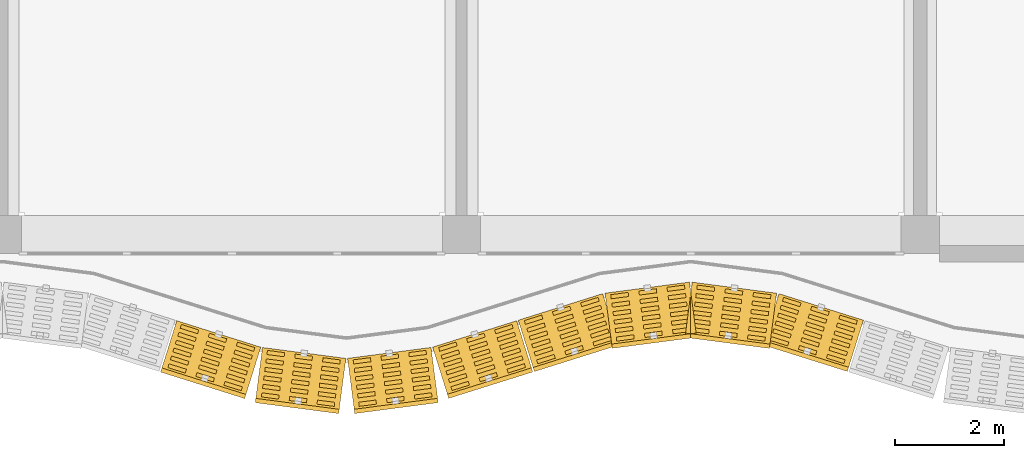
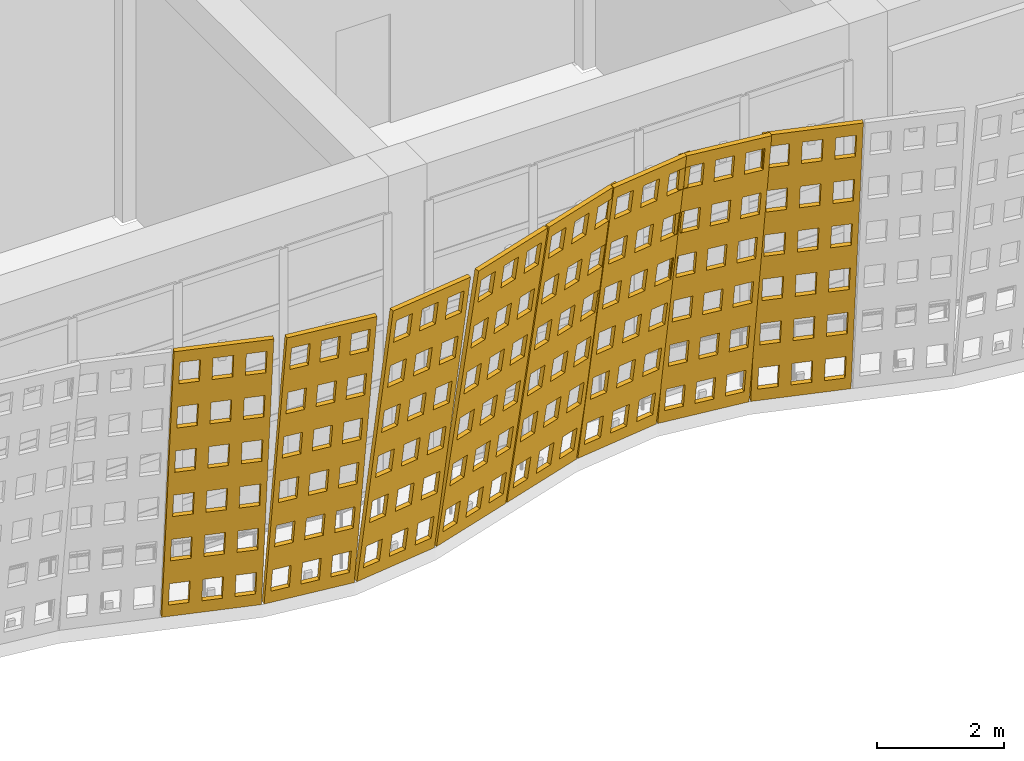
# One storey, part 153 of 210: 8 coverings.
"""IFC4 building model written with IfcOpenShell, lengths in metres."""

from ifc_helpers import new_model, si_unit, direction, frame, origin, place, context, subcontext, project, spatial, polyline, outline, extrude, material, layer, layer_set, type_object, element, save


model = new_model("IFC4")

# Units and contexts
model_context = context("Model", 3, precision=1e-05, world=origin(), true_north=direction((0.0, 1.0)))
body_context = subcontext(model_context, "Body", "Model", "MODEL_VIEW")
ifc_project = project(units=[si_unit("LENGTHUNIT", "METRE"), si_unit("AREAUNIT", "SQUARE_METRE"), si_unit("VOLUMEUNIT", "CUBIC_METRE"), si_unit("PLANEANGLEUNIT", "RADIAN"), si_unit("MASSUNIT", "GRAM", prefix="KILO")], contexts=[model_context])

# Site, building, storey
site_placement = place(None, origin())
site = spatial("IfcSite", under=ifc_project, at=site_placement, CompositionType="ELEMENT")
building_placement = place(site_placement, origin())
building = spatial("IfcBuilding", under=site, at=building_placement, Name="Rain Tree Exposition and Congress Centre", CompositionType="ELEMENT")
storey_placement = place(building_placement, origin())
storey = spatial("IfcBuildingStorey", under=building, at=storey_placement, Name="L00", CompositionType="ELEMENT", Elevation=0.0)

# Coverings
ifc_material = material(Name="Perforated terracotta", Category="masonry")
ifc_layer = layer(ifc_material, 0.080078125)
ifc_layer_set = layer_set([ifc_layer], Name="Perforated terracotta")
covering_type = type_object("IfcCoveringType", Name="Terracotta screen 80", PredefinedType="CLADDING", material=ifc_layer_set)
covering_1_placement = place(storey_placement, frame((28.35009765625, -1.64990234375, 0.0), z_axis=(0.296712403937, 0.94213835477, 0.156003428874), x_axis=(-0.953816392794, 0.300390227601, 0.0)))
element("IfcCovering", 1, at=covering_1_placement, inside=storey, type_object=covering_type, Name="wing/screen/L00/019", PredefinedType="CLADDING", context=body_context, shape_type="SweptSolid", body=[
    extrude(outline(polyline([(-1.62890625, 0.0), (-1.62890625, 5.808349609375), (-0.014892578125, 5.808349609375), (-0.014892578125, 0.0), (-1.62890625, 0.0)]), holes=[polyline([(-0.1171875, 0.249755859375), (-0.1171875, 0.71826171875), (-0.45068359375, 0.71826171875), (-0.45068359375, 0.249755859375), (-0.1171875, 0.249755859375)]), polyline([(-0.1171875, 1.218017578125), (-0.1171875, 1.686279296875), (-0.45068359375, 1.686279296875), (-0.45068359375, 1.218017578125), (-0.1171875, 1.218017578125)]), polyline([(-0.1171875, 2.18603515625), (-0.1171875, 2.654296875), (-0.45068359375, 2.654296875), (-0.45068359375, 2.18603515625), (-0.1171875, 2.18603515625)]), polyline([(-0.1171875, 3.154052734375), (-0.1171875, 3.62255859375), (-0.45068359375, 3.62255859375), (-0.45068359375, 3.154052734375), (-0.1171875, 3.154052734375)]), polyline([(-0.1171875, 4.1220703125), (-0.1171875, 4.590576171875), (-0.45068359375, 4.590576171875), (-0.45068359375, 4.1220703125), (-0.1171875, 4.1220703125)]), polyline([(-0.1171875, 5.090087890625), (-0.1171875, 5.55859375), (-0.45068359375, 5.55859375), (-0.45068359375, 5.090087890625), (-0.1171875, 5.090087890625)]), polyline([(-0.6552734375, 0.249755859375), (-0.6552734375, 0.71826171875), (-0.98876953125, 0.71826171875), (-0.98876953125, 0.249755859375), (-0.6552734375, 0.249755859375)]), polyline([(-0.6552734375, 1.218017578125), (-0.6552734375, 1.686279296875), (-0.98876953125, 1.686279296875), (-0.98876953125, 1.218017578125), (-0.6552734375, 1.218017578125)]), polyline([(-0.6552734375, 2.18603515625), (-0.6552734375, 2.654296875), (-0.98876953125, 2.654296875), (-0.98876953125, 2.18603515625), (-0.6552734375, 2.18603515625)]), polyline([(-0.6552734375, 3.154052734375), (-0.6552734375, 3.62255859375), (-0.98876953125, 3.62255859375), (-0.98876953125, 3.154052734375), (-0.6552734375, 3.154052734375)]), polyline([(-0.6552734375, 4.1220703125), (-0.6552734375, 4.590576171875), (-0.98876953125, 4.590576171875), (-0.98876953125, 4.1220703125), (-0.6552734375, 4.1220703125)]), polyline([(-0.6552734375, 5.090087890625), (-0.6552734375, 5.55859375), (-0.98876953125, 5.55859375), (-0.98876953125, 5.090087890625), (-0.6552734375, 5.090087890625)]), polyline([(-1.193115234375, 0.249755859375), (-1.193115234375, 0.71826171875), (-1.526611328125, 0.71826171875), (-1.526611328125, 0.249755859375), (-1.193115234375, 0.249755859375)]), polyline([(-1.193115234375, 1.218017578125), (-1.193115234375, 1.686279296875), (-1.526611328125, 1.686279296875), (-1.526611328125, 1.218017578125), (-1.193115234375, 1.218017578125)]), polyline([(-1.193115234375, 2.18603515625), (-1.193115234375, 2.654296875), (-1.526611328125, 2.654296875), (-1.526611328125, 2.18603515625), (-1.193115234375, 2.18603515625)]), polyline([(-1.193115234375, 3.154052734375), (-1.193115234375, 3.62255859375), (-1.526611328125, 3.62255859375), (-1.526611328125, 3.154052734375), (-1.193115234375, 3.154052734375)]), polyline([(-1.193115234375, 4.1220703125), (-1.193115234375, 4.590576171875), (-1.526611328125, 4.590576171875), (-1.526611328125, 4.1220703125), (-1.193115234375, 4.1220703125)]), polyline([(-1.193115234375, 5.090087890625), (-1.193115234375, 5.55859375), (-1.526611328125, 5.55859375), (-1.526611328125, 5.090087890625), (-1.193115234375, 5.090087890625)])]), origin(), (0.0, 0.0, 1.0), 0.079833984375),
])
covering_2_placement = place(storey_placement, frame((29.925048828125, -2.14501953125, 0.0), z_axis=(0.1280309309, 0.978522114732, 0.161562841373), x_axis=(-0.991548658387, 0.129735338481, 0.0)))
element("IfcCovering", 2, at=covering_2_placement, inside=storey, type_object=covering_type, Name="wing/screen/L00/020", PredefinedType="CLADDING", context=body_context, shape_type="SweptSolid", body=[
    extrude(outline(polyline([(-1.56298828125, 0.0), (-1.56298828125, 5.813720703125), (-0.02197265625, 5.813720703125), (-0.02197265625, 0.0), (-1.56298828125, 0.0)]), holes=[polyline([(-0.11962890625, 0.25), (-0.11962890625, 0.718994140625), (-0.43798828125, 0.718994140625), (-0.43798828125, 0.25), (-0.11962890625, 0.25)]), polyline([(-0.11962890625, 1.218994140625), (-0.11962890625, 1.687744140625), (-0.43798828125, 1.687744140625), (-0.43798828125, 1.218994140625), (-0.11962890625, 1.218994140625)]), polyline([(-0.11962890625, 2.18798828125), (-0.11962890625, 2.65673828125), (-0.43798828125, 2.65673828125), (-0.43798828125, 2.18798828125), (-0.11962890625, 2.18798828125)]), polyline([(-0.11962890625, 3.15673828125), (-0.11962890625, 3.625732421875), (-0.43798828125, 3.625732421875), (-0.43798828125, 3.15673828125), (-0.11962890625, 3.15673828125)]), polyline([(-0.11962890625, 4.125732421875), (-0.11962890625, 4.594482421875), (-0.43798828125, 4.594482421875), (-0.43798828125, 4.125732421875), (-0.11962890625, 4.125732421875)]), polyline([(-0.11962890625, 5.0947265625), (-0.11962890625, 5.5634765625), (-0.43798828125, 5.5634765625), (-0.43798828125, 5.0947265625), (-0.11962890625, 5.0947265625)]), polyline([(-0.63330078125, 0.25), (-0.63330078125, 0.718994140625), (-0.95166015625, 0.718994140625), (-0.95166015625, 0.25), (-0.63330078125, 0.25)]), polyline([(-0.63330078125, 1.218994140625), (-0.63330078125, 1.687744140625), (-0.95166015625, 1.687744140625), (-0.95166015625, 1.218994140625), (-0.63330078125, 1.218994140625)]), polyline([(-0.63330078125, 2.18798828125), (-0.63330078125, 2.65673828125), (-0.95166015625, 2.65673828125), (-0.95166015625, 2.18798828125), (-0.63330078125, 2.18798828125)]), polyline([(-0.63330078125, 3.15673828125), (-0.63330078125, 3.625732421875), (-0.95166015625, 3.625732421875), (-0.95166015625, 3.15673828125), (-0.63330078125, 3.15673828125)]), polyline([(-0.63330078125, 4.125732421875), (-0.63330078125, 4.594482421875), (-0.95166015625, 4.594482421875), (-0.95166015625, 4.125732421875), (-0.63330078125, 4.125732421875)]), polyline([(-0.63330078125, 5.0947265625), (-0.63330078125, 5.5634765625), (-0.95166015625, 5.5634765625), (-0.95166015625, 5.0947265625), (-0.63330078125, 5.0947265625)]), polyline([(-1.146728515625, 0.25), (-1.146728515625, 0.718994140625), (-1.46533203125, 0.718994140625), (-1.46533203125, 0.25), (-1.146728515625, 0.25)]), polyline([(-1.146728515625, 1.218994140625), (-1.146728515625, 1.687744140625), (-1.46533203125, 1.687744140625), (-1.46533203125, 1.218994140625), (-1.146728515625, 1.218994140625)]), polyline([(-1.146728515625, 2.18798828125), (-1.146728515625, 2.65673828125), (-1.46533203125, 2.65673828125), (-1.46533203125, 2.18798828125), (-1.146728515625, 2.18798828125)]), polyline([(-1.146728515625, 3.15673828125), (-1.146728515625, 3.625732421875), (-1.46533203125, 3.625732421875), (-1.46533203125, 3.15673828125), (-1.146728515625, 3.15673828125)]), polyline([(-1.146728515625, 4.125732421875), (-1.146728515625, 4.594482421875), (-1.46533203125, 4.594482421875), (-1.46533203125, 4.125732421875), (-1.146728515625, 4.125732421875)]), polyline([(-1.146728515625, 5.0947265625), (-1.146728515625, 5.5634765625), (-1.46533203125, 5.5634765625), (-1.46533203125, 5.0947265625), (-1.146728515625, 5.0947265625)])]), origin(), (0.0, 0.0, 1.0), 0.080078125),
])
covering_3_placement = place(storey_placement, frame((31.5, -2.35009765625, 0.0), z_axis=(-0.1280309309, 0.978522114732, 0.161562841373), x_axis=(-0.991548658387, -0.129735338481, 0.0)))
element("IfcCovering", 3, at=covering_3_placement, inside=storey, type_object=covering_type, Name="wing/screen/L00/021", PredefinedType="CLADDING", context=body_context, shape_type="SweptSolid", body=[
    extrude(outline(polyline([(-1.56640625, 0.0), (-1.56640625, 5.813720703125), (-0.025390625, 5.813720703125), (-0.025390625, 0.0), (-1.56640625, 0.0)]), holes=[polyline([(-0.123046875, 0.25), (-0.123046875, 0.718994140625), (-0.44140625, 0.718994140625), (-0.44140625, 0.25), (-0.123046875, 0.25)]), polyline([(-0.123046875, 1.218994140625), (-0.123046875, 1.687744140625), (-0.44140625, 1.687744140625), (-0.44140625, 1.218994140625), (-0.123046875, 1.218994140625)]), polyline([(-0.123046875, 2.18798828125), (-0.123046875, 2.65673828125), (-0.44140625, 2.65673828125), (-0.44140625, 2.18798828125), (-0.123046875, 2.18798828125)]), polyline([(-0.123046875, 3.15673828125), (-0.123046875, 3.625732421875), (-0.44140625, 3.625732421875), (-0.44140625, 3.15673828125), (-0.123046875, 3.15673828125)]), polyline([(-0.123046875, 4.125732421875), (-0.123046875, 4.594482421875), (-0.44140625, 4.594482421875), (-0.44140625, 4.125732421875), (-0.123046875, 4.125732421875)]), polyline([(-0.123046875, 5.0947265625), (-0.123046875, 5.5634765625), (-0.44140625, 5.5634765625), (-0.44140625, 5.0947265625), (-0.123046875, 5.0947265625)]), polyline([(-0.63671875, 0.25), (-0.63671875, 0.718994140625), (-0.955078125, 0.718994140625), (-0.955078125, 0.25), (-0.63671875, 0.25)]), polyline([(-0.63671875, 1.218994140625), (-0.63671875, 1.687744140625), (-0.955078125, 1.687744140625), (-0.955078125, 1.218994140625), (-0.63671875, 1.218994140625)]), polyline([(-0.63671875, 2.18798828125), (-0.63671875, 2.65673828125), (-0.955078125, 2.65673828125), (-0.955078125, 2.18798828125), (-0.63671875, 2.18798828125)]), polyline([(-0.63671875, 3.15673828125), (-0.63671875, 3.625732421875), (-0.955078125, 3.625732421875), (-0.955078125, 3.15673828125), (-0.63671875, 3.15673828125)]), polyline([(-0.63671875, 4.125732421875), (-0.63671875, 4.594482421875), (-0.955078125, 4.594482421875), (-0.955078125, 4.125732421875), (-0.63671875, 4.125732421875)]), polyline([(-0.63671875, 5.0947265625), (-0.63671875, 5.5634765625), (-0.955078125, 5.5634765625), (-0.955078125, 5.0947265625), (-0.63671875, 5.0947265625)]), polyline([(-1.150146484375, 0.25), (-1.150146484375, 0.718994140625), (-1.46875, 0.718994140625), (-1.46875, 0.25), (-1.150146484375, 0.25)]), polyline([(-1.150146484375, 1.218994140625), (-1.150146484375, 1.687744140625), (-1.46875, 1.687744140625), (-1.46875, 1.218994140625), (-1.150146484375, 1.218994140625)]), polyline([(-1.150146484375, 2.18798828125), (-1.150146484375, 2.65673828125), (-1.46875, 2.65673828125), (-1.46875, 2.18798828125), (-1.150146484375, 2.18798828125)]), polyline([(-1.150146484375, 3.15673828125), (-1.150146484375, 3.625732421875), (-1.46875, 3.625732421875), (-1.46875, 3.15673828125), (-1.150146484375, 3.15673828125)]), polyline([(-1.150146484375, 4.125732421875), (-1.150146484375, 4.594482421875), (-1.46875, 4.594482421875), (-1.46875, 4.125732421875), (-1.150146484375, 4.125732421875)]), polyline([(-1.150146484375, 5.0947265625), (-1.150146484375, 5.5634765625), (-1.46875, 5.5634765625), (-1.46875, 5.0947265625), (-1.150146484375, 5.0947265625)])]), origin(), (0.0, 0.0, 1.0), 0.080078125),
])
covering_4_placement = place(storey_placement, frame((33.074951171875, -2.14501953125, 0.0), z_axis=(-0.295859611525, 0.942480618158, 0.155555053482), x_axis=(-0.954094597562, -0.29950542383, 0.0)))
element("IfcCovering", 4, at=covering_4_placement, inside=storey, type_object=covering_type, Name="wing/screen/L00/022", PredefinedType="CLADDING", context=body_context, shape_type="SweptSolid", body=[
    extrude(outline(polyline([(-1.635986328125, 0.0), (-1.635986328125, 5.808349609375), (-0.02197265625, 5.808349609375), (-0.02197265625, 0.0), (-1.635986328125, 0.0)]), holes=[polyline([(-0.124267578125, 0.249755859375), (-0.124267578125, 0.71826171875), (-0.457763671875, 0.71826171875), (-0.457763671875, 0.249755859375), (-0.124267578125, 0.249755859375)]), polyline([(-0.124267578125, 1.218017578125), (-0.124267578125, 1.686279296875), (-0.457763671875, 1.686279296875), (-0.457763671875, 1.218017578125), (-0.124267578125, 1.218017578125)]), polyline([(-0.124267578125, 2.18603515625), (-0.124267578125, 2.654296875), (-0.457763671875, 2.654296875), (-0.457763671875, 2.18603515625), (-0.124267578125, 2.18603515625)]), polyline([(-0.124267578125, 3.154052734375), (-0.124267578125, 3.62255859375), (-0.457763671875, 3.62255859375), (-0.457763671875, 3.154052734375), (-0.124267578125, 3.154052734375)]), polyline([(-0.124267578125, 4.1220703125), (-0.124267578125, 4.590576171875), (-0.457763671875, 4.590576171875), (-0.457763671875, 4.1220703125), (-0.124267578125, 4.1220703125)]), polyline([(-0.124267578125, 5.090087890625), (-0.124267578125, 5.55859375), (-0.457763671875, 5.55859375), (-0.457763671875, 5.090087890625), (-0.124267578125, 5.090087890625)]), polyline([(-0.662109375, 0.249755859375), (-0.662109375, 0.71826171875), (-0.995849609375, 0.71826171875), (-0.995849609375, 0.249755859375), (-0.662109375, 0.249755859375)]), polyline([(-0.662109375, 1.218017578125), (-0.662109375, 1.686279296875), (-0.995849609375, 1.686279296875), (-0.995849609375, 1.218017578125), (-0.662109375, 1.218017578125)]), polyline([(-0.662109375, 2.18603515625), (-0.662109375, 2.654296875), (-0.995849609375, 2.654296875), (-0.995849609375, 2.18603515625), (-0.662109375, 2.18603515625)]), polyline([(-0.662109375, 3.154052734375), (-0.662109375, 3.62255859375), (-0.995849609375, 3.62255859375), (-0.995849609375, 3.154052734375), (-0.662109375, 3.154052734375)]), polyline([(-0.662109375, 4.1220703125), (-0.662109375, 4.590576171875), (-0.995849609375, 4.590576171875), (-0.995849609375, 4.1220703125), (-0.662109375, 4.1220703125)]), polyline([(-0.662109375, 5.090087890625), (-0.662109375, 5.55859375), (-0.995849609375, 5.55859375), (-0.995849609375, 5.090087890625), (-0.662109375, 5.090087890625)]), polyline([(-1.2001953125, 0.249755859375), (-1.2001953125, 0.71826171875), (-1.53369140625, 0.71826171875), (-1.53369140625, 0.249755859375), (-1.2001953125, 0.249755859375)]), polyline([(-1.2001953125, 1.218017578125), (-1.2001953125, 1.686279296875), (-1.53369140625, 1.686279296875), (-1.53369140625, 1.218017578125), (-1.2001953125, 1.218017578125)]), polyline([(-1.2001953125, 2.18603515625), (-1.2001953125, 2.654296875), (-1.53369140625, 2.654296875), (-1.53369140625, 2.18603515625), (-1.2001953125, 2.18603515625)]), polyline([(-1.2001953125, 3.154052734375), (-1.2001953125, 3.62255859375), (-1.53369140625, 3.62255859375), (-1.53369140625, 3.154052734375), (-1.2001953125, 3.154052734375)]), polyline([(-1.2001953125, 4.1220703125), (-1.2001953125, 4.590576171875), (-1.53369140625, 4.590576171875), (-1.53369140625, 4.1220703125), (-1.2001953125, 4.1220703125)]), polyline([(-1.2001953125, 5.090087890625), (-1.2001953125, 5.55859375), (-1.53369140625, 5.55859375), (-1.53369140625, 5.090087890625), (-1.2001953125, 5.090087890625)])]), origin(), (0.0, 0.0, 1.0), 0.080078125),
])
covering_5_placement = place(storey_placement, frame((34.64990234375, -1.64990234375, 0.0), z_axis=(-0.296712403937, 0.94213835477, 0.156003428874), x_axis=(-0.953816392794, -0.300390227601, 0.0)))
element("IfcCovering", 5, at=covering_5_placement, inside=storey, type_object=covering_type, Name="wing/screen/L00/023", PredefinedType="CLADDING", context=body_context, shape_type="SweptSolid", body=[
    extrude(outline(polyline([(-1.635986328125, 0.0), (-1.635986328125, 5.808349609375), (-0.014892578125, 5.808349609375), (-0.014892578125, 0.0), (-1.635986328125, 0.0)]), holes=[polyline([(-0.11767578125, 0.249755859375), (-0.11767578125, 0.71826171875), (-0.45263671875, 0.71826171875), (-0.45263671875, 0.249755859375), (-0.11767578125, 0.249755859375)]), polyline([(-0.11767578125, 1.218017578125), (-0.11767578125, 1.686279296875), (-0.45263671875, 1.686279296875), (-0.45263671875, 1.218017578125), (-0.11767578125, 1.218017578125)]), polyline([(-0.11767578125, 2.18603515625), (-0.11767578125, 2.654296875), (-0.45263671875, 2.654296875), (-0.45263671875, 2.18603515625), (-0.11767578125, 2.18603515625)]), polyline([(-0.11767578125, 3.154052734375), (-0.11767578125, 3.62255859375), (-0.45263671875, 3.62255859375), (-0.45263671875, 3.154052734375), (-0.11767578125, 3.154052734375)]), polyline([(-0.11767578125, 4.1220703125), (-0.11767578125, 4.590576171875), (-0.45263671875, 4.590576171875), (-0.45263671875, 4.1220703125), (-0.11767578125, 4.1220703125)]), polyline([(-0.11767578125, 5.090087890625), (-0.11767578125, 5.55859375), (-0.45263671875, 5.55859375), (-0.45263671875, 5.090087890625), (-0.11767578125, 5.090087890625)]), polyline([(-0.657958984375, 0.249755859375), (-0.657958984375, 0.71826171875), (-0.992919921875, 0.71826171875), (-0.992919921875, 0.249755859375), (-0.657958984375, 0.249755859375)]), polyline([(-0.657958984375, 1.218017578125), (-0.657958984375, 1.686279296875), (-0.992919921875, 1.686279296875), (-0.992919921875, 1.218017578125), (-0.657958984375, 1.218017578125)]), polyline([(-0.657958984375, 2.18603515625), (-0.657958984375, 2.654296875), (-0.992919921875, 2.654296875), (-0.992919921875, 2.18603515625), (-0.657958984375, 2.18603515625)]), polyline([(-0.657958984375, 3.154052734375), (-0.657958984375, 3.62255859375), (-0.992919921875, 3.62255859375), (-0.992919921875, 3.154052734375), (-0.657958984375, 3.154052734375)]), polyline([(-0.657958984375, 4.1220703125), (-0.657958984375, 4.590576171875), (-0.992919921875, 4.590576171875), (-0.992919921875, 4.1220703125), (-0.657958984375, 4.1220703125)]), polyline([(-0.657958984375, 5.090087890625), (-0.657958984375, 5.55859375), (-0.992919921875, 5.55859375), (-0.992919921875, 5.090087890625), (-0.657958984375, 5.090087890625)]), polyline([(-1.1982421875, 0.249755859375), (-1.1982421875, 0.71826171875), (-1.533203125, 0.71826171875), (-1.533203125, 0.249755859375), (-1.1982421875, 0.249755859375)]), polyline([(-1.1982421875, 1.218017578125), (-1.1982421875, 1.686279296875), (-1.533203125, 1.686279296875), (-1.533203125, 1.218017578125), (-1.1982421875, 1.218017578125)]), polyline([(-1.1982421875, 2.18603515625), (-1.1982421875, 2.654296875), (-1.533203125, 2.654296875), (-1.533203125, 2.18603515625), (-1.1982421875, 2.18603515625)]), polyline([(-1.1982421875, 3.154052734375), (-1.1982421875, 3.62255859375), (-1.533203125, 3.62255859375), (-1.533203125, 3.154052734375), (-1.1982421875, 3.154052734375)]), polyline([(-1.1982421875, 4.1220703125), (-1.1982421875, 4.590576171875), (-1.533203125, 4.590576171875), (-1.533203125, 4.1220703125), (-1.1982421875, 4.1220703125)]), polyline([(-1.1982421875, 5.090087890625), (-1.1982421875, 5.55859375), (-1.533203125, 5.55859375), (-1.533203125, 5.090087890625), (-1.1982421875, 5.090087890625)])]), origin(), (0.0, 0.0, 1.0), 0.079833984375),
])
covering_6_placement = place(storey_placement, frame((36.22509765625, -1.155029296875, 0.0), z_axis=(-0.1280309309, 0.978522114732, 0.161562841373), x_axis=(-0.991548658387, -0.129735338481, 0.0)))
element("IfcCovering", 6, at=covering_6_placement, inside=storey, type_object=covering_type, Name="wing/screen/L00/024", PredefinedType="CLADDING", context=body_context, shape_type="SweptSolid", body=[
    extrude(outline(polyline([(-1.5732421875, 0.0), (-1.5732421875, 5.813720703125), (-0.014892578125, 5.813720703125), (-0.014892578125, 0.0), (-1.5732421875, 0.0)]), holes=[polyline([(-0.11376953125, 0.25), (-0.11376953125, 0.718994140625), (-0.435791015625, 0.718994140625), (-0.435791015625, 0.25), (-0.11376953125, 0.25)]), polyline([(-0.11376953125, 1.218994140625), (-0.11376953125, 1.687744140625), (-0.435791015625, 1.687744140625), (-0.435791015625, 1.218994140625), (-0.11376953125, 1.218994140625)]), polyline([(-0.11376953125, 2.18798828125), (-0.11376953125, 2.65673828125), (-0.435791015625, 2.65673828125), (-0.435791015625, 2.18798828125), (-0.11376953125, 2.18798828125)]), polyline([(-0.11376953125, 3.15673828125), (-0.11376953125, 3.625732421875), (-0.435791015625, 3.625732421875), (-0.435791015625, 3.15673828125), (-0.11376953125, 3.15673828125)]), polyline([(-0.11376953125, 4.125732421875), (-0.11376953125, 4.594482421875), (-0.435791015625, 4.594482421875), (-0.435791015625, 4.125732421875), (-0.11376953125, 4.125732421875)]), polyline([(-0.11376953125, 5.0947265625), (-0.11376953125, 5.5634765625), (-0.435791015625, 5.5634765625), (-0.435791015625, 5.0947265625), (-0.11376953125, 5.0947265625)]), polyline([(-0.633056640625, 0.25), (-0.633056640625, 0.718994140625), (-0.955078125, 0.718994140625), (-0.955078125, 0.25), (-0.633056640625, 0.25)]), polyline([(-0.633056640625, 1.218994140625), (-0.633056640625, 1.687744140625), (-0.955078125, 1.687744140625), (-0.955078125, 1.218994140625), (-0.633056640625, 1.218994140625)]), polyline([(-0.633056640625, 2.18798828125), (-0.633056640625, 2.65673828125), (-0.955078125, 2.65673828125), (-0.955078125, 2.18798828125), (-0.633056640625, 2.18798828125)]), polyline([(-0.633056640625, 3.15673828125), (-0.633056640625, 3.625732421875), (-0.955078125, 3.625732421875), (-0.955078125, 3.15673828125), (-0.633056640625, 3.15673828125)]), polyline([(-0.633056640625, 4.125732421875), (-0.633056640625, 4.594482421875), (-0.955078125, 4.594482421875), (-0.955078125, 4.125732421875), (-0.633056640625, 4.125732421875)]), polyline([(-0.633056640625, 5.0947265625), (-0.633056640625, 5.5634765625), (-0.955078125, 5.5634765625), (-0.955078125, 5.0947265625), (-0.633056640625, 5.0947265625)]), polyline([(-1.152587890625, 0.25), (-1.152587890625, 0.718994140625), (-1.474609375, 0.718994140625), (-1.474609375, 0.25), (-1.152587890625, 0.25)]), polyline([(-1.152587890625, 1.218994140625), (-1.152587890625, 1.687744140625), (-1.474609375, 1.687744140625), (-1.474609375, 1.218994140625), (-1.152587890625, 1.218994140625)]), polyline([(-1.152587890625, 2.18798828125), (-1.152587890625, 2.65673828125), (-1.474609375, 2.65673828125), (-1.474609375, 2.18798828125), (-1.152587890625, 2.18798828125)]), polyline([(-1.152587890625, 3.15673828125), (-1.152587890625, 3.625732421875), (-1.474609375, 3.625732421875), (-1.474609375, 3.15673828125), (-1.152587890625, 3.15673828125)]), polyline([(-1.152587890625, 4.125732421875), (-1.152587890625, 4.594482421875), (-1.474609375, 4.594482421875), (-1.474609375, 4.125732421875), (-1.152587890625, 4.125732421875)]), polyline([(-1.152587890625, 5.0947265625), (-1.152587890625, 5.5634765625), (-1.474609375, 5.5634765625), (-1.474609375, 5.0947265625), (-1.152587890625, 5.0947265625)])]), origin(), (0.0, 0.0, 1.0), 0.080078125),
])
covering_7_placement = place(storey_placement, frame((37.800048828125, -0.949951171875, 0.0), z_axis=(0.1280309309, 0.978522114732, 0.161562841373), x_axis=(-0.991548658387, 0.129735338481, 0.0)))
element("IfcCovering", 7, at=covering_7_placement, inside=storey, type_object=covering_type, Name="wing/screen/L00/025", PredefinedType="CLADDING", context=body_context, shape_type="SweptSolid", body=[
    extrude(outline(polyline([(-1.5732421875, 0.0), (-1.5732421875, 5.813720703125), (-0.014892578125, 5.813720703125), (-0.014892578125, 0.0), (-1.5732421875, 0.0)]), holes=[polyline([(-0.11376953125, 0.25), (-0.11376953125, 0.718994140625), (-0.435791015625, 0.718994140625), (-0.435791015625, 0.25), (-0.11376953125, 0.25)]), polyline([(-0.11376953125, 1.218994140625), (-0.11376953125, 1.687744140625), (-0.435791015625, 1.687744140625), (-0.435791015625, 1.218994140625), (-0.11376953125, 1.218994140625)]), polyline([(-0.11376953125, 2.18798828125), (-0.11376953125, 2.65673828125), (-0.435791015625, 2.65673828125), (-0.435791015625, 2.18798828125), (-0.11376953125, 2.18798828125)]), polyline([(-0.11376953125, 3.15673828125), (-0.11376953125, 3.625732421875), (-0.435791015625, 3.625732421875), (-0.435791015625, 3.15673828125), (-0.11376953125, 3.15673828125)]), polyline([(-0.11376953125, 4.125732421875), (-0.11376953125, 4.594482421875), (-0.435791015625, 4.594482421875), (-0.435791015625, 4.125732421875), (-0.11376953125, 4.125732421875)]), polyline([(-0.11376953125, 5.0947265625), (-0.11376953125, 5.5634765625), (-0.435791015625, 5.5634765625), (-0.435791015625, 5.0947265625), (-0.11376953125, 5.0947265625)]), polyline([(-0.633056640625, 0.25), (-0.633056640625, 0.718994140625), (-0.955078125, 0.718994140625), (-0.955078125, 0.25), (-0.633056640625, 0.25)]), polyline([(-0.633056640625, 1.218994140625), (-0.633056640625, 1.687744140625), (-0.955078125, 1.687744140625), (-0.955078125, 1.218994140625), (-0.633056640625, 1.218994140625)]), polyline([(-0.633056640625, 2.18798828125), (-0.633056640625, 2.65673828125), (-0.955078125, 2.65673828125), (-0.955078125, 2.18798828125), (-0.633056640625, 2.18798828125)]), polyline([(-0.633056640625, 3.15673828125), (-0.633056640625, 3.625732421875), (-0.955078125, 3.625732421875), (-0.955078125, 3.15673828125), (-0.633056640625, 3.15673828125)]), polyline([(-0.633056640625, 4.125732421875), (-0.633056640625, 4.594482421875), (-0.955078125, 4.594482421875), (-0.955078125, 4.125732421875), (-0.633056640625, 4.125732421875)]), polyline([(-0.633056640625, 5.0947265625), (-0.633056640625, 5.5634765625), (-0.955078125, 5.5634765625), (-0.955078125, 5.0947265625), (-0.633056640625, 5.0947265625)]), polyline([(-1.152587890625, 0.25), (-1.152587890625, 0.718994140625), (-1.474609375, 0.718994140625), (-1.474609375, 0.25), (-1.152587890625, 0.25)]), polyline([(-1.152587890625, 1.218994140625), (-1.152587890625, 1.687744140625), (-1.474609375, 1.687744140625), (-1.474609375, 1.218994140625), (-1.152587890625, 1.218994140625)]), polyline([(-1.152587890625, 2.18798828125), (-1.152587890625, 2.65673828125), (-1.474609375, 2.65673828125), (-1.474609375, 2.18798828125), (-1.152587890625, 2.18798828125)]), polyline([(-1.152587890625, 3.15673828125), (-1.152587890625, 3.625732421875), (-1.474609375, 3.625732421875), (-1.474609375, 3.15673828125), (-1.152587890625, 3.15673828125)]), polyline([(-1.152587890625, 4.125732421875), (-1.152587890625, 4.594482421875), (-1.474609375, 4.594482421875), (-1.474609375, 4.125732421875), (-1.152587890625, 4.125732421875)]), polyline([(-1.152587890625, 5.0947265625), (-1.152587890625, 5.5634765625), (-1.474609375, 5.5634765625), (-1.474609375, 5.0947265625), (-1.152587890625, 5.0947265625)])]), origin(), (0.0, 0.0, 1.0), 0.080078125),
])
covering_8_placement = place(storey_placement, frame((39.375, -1.155029296875, 0.0), z_axis=(0.295859611525, 0.942480618158, 0.155555053482), x_axis=(-0.954094597562, 0.29950542383, 0.0)))
element("IfcCovering", 8, at=covering_8_placement, inside=storey, type_object=covering_type, Name="wing/screen/L00/026", PredefinedType="CLADDING", context=body_context, shape_type="SweptSolid", body=[
    extrude(outline(polyline([(-1.635986328125, 0.0), (-1.635986328125, 5.808349609375), (-0.014892578125, 5.808349609375), (-0.014892578125, 0.0), (-1.635986328125, 0.0)]), holes=[polyline([(-0.11767578125, 0.249755859375), (-0.11767578125, 0.71826171875), (-0.45263671875, 0.71826171875), (-0.45263671875, 0.249755859375), (-0.11767578125, 0.249755859375)]), polyline([(-0.11767578125, 1.218017578125), (-0.11767578125, 1.686279296875), (-0.45263671875, 1.686279296875), (-0.45263671875, 1.218017578125), (-0.11767578125, 1.218017578125)]), polyline([(-0.11767578125, 2.18603515625), (-0.11767578125, 2.654296875), (-0.45263671875, 2.654296875), (-0.45263671875, 2.18603515625), (-0.11767578125, 2.18603515625)]), polyline([(-0.11767578125, 3.154052734375), (-0.11767578125, 3.62255859375), (-0.45263671875, 3.62255859375), (-0.45263671875, 3.154052734375), (-0.11767578125, 3.154052734375)]), polyline([(-0.11767578125, 4.1220703125), (-0.11767578125, 4.590576171875), (-0.45263671875, 4.590576171875), (-0.45263671875, 4.1220703125), (-0.11767578125, 4.1220703125)]), polyline([(-0.11767578125, 5.090087890625), (-0.11767578125, 5.55859375), (-0.45263671875, 5.55859375), (-0.45263671875, 5.090087890625), (-0.11767578125, 5.090087890625)]), polyline([(-0.657958984375, 0.249755859375), (-0.657958984375, 0.71826171875), (-0.992919921875, 0.71826171875), (-0.992919921875, 0.249755859375), (-0.657958984375, 0.249755859375)]), polyline([(-0.657958984375, 1.218017578125), (-0.657958984375, 1.686279296875), (-0.992919921875, 1.686279296875), (-0.992919921875, 1.218017578125), (-0.657958984375, 1.218017578125)]), polyline([(-0.657958984375, 2.18603515625), (-0.657958984375, 2.654296875), (-0.992919921875, 2.654296875), (-0.992919921875, 2.18603515625), (-0.657958984375, 2.18603515625)]), polyline([(-0.657958984375, 3.154052734375), (-0.657958984375, 3.62255859375), (-0.992919921875, 3.62255859375), (-0.992919921875, 3.154052734375), (-0.657958984375, 3.154052734375)]), polyline([(-0.657958984375, 4.1220703125), (-0.657958984375, 4.590576171875), (-0.992919921875, 4.590576171875), (-0.992919921875, 4.1220703125), (-0.657958984375, 4.1220703125)]), polyline([(-0.657958984375, 5.090087890625), (-0.657958984375, 5.55859375), (-0.992919921875, 5.55859375), (-0.992919921875, 5.090087890625), (-0.657958984375, 5.090087890625)]), polyline([(-1.1982421875, 0.249755859375), (-1.1982421875, 0.71826171875), (-1.533203125, 0.71826171875), (-1.533203125, 0.249755859375), (-1.1982421875, 0.249755859375)]), polyline([(-1.1982421875, 1.218017578125), (-1.1982421875, 1.686279296875), (-1.533203125, 1.686279296875), (-1.533203125, 1.218017578125), (-1.1982421875, 1.218017578125)]), polyline([(-1.1982421875, 2.18603515625), (-1.1982421875, 2.654296875), (-1.533203125, 2.654296875), (-1.533203125, 2.18603515625), (-1.1982421875, 2.18603515625)]), polyline([(-1.1982421875, 3.154052734375), (-1.1982421875, 3.62255859375), (-1.533203125, 3.62255859375), (-1.533203125, 3.154052734375), (-1.1982421875, 3.154052734375)]), polyline([(-1.1982421875, 4.1220703125), (-1.1982421875, 4.590576171875), (-1.533203125, 4.590576171875), (-1.533203125, 4.1220703125), (-1.1982421875, 4.1220703125)]), polyline([(-1.1982421875, 5.090087890625), (-1.1982421875, 5.55859375), (-1.533203125, 5.55859375), (-1.533203125, 5.090087890625), (-1.1982421875, 5.090087890625)])]), origin(), (0.0, 0.0, 1.0), 0.080078125),
])

save(model, "model.ifc")
